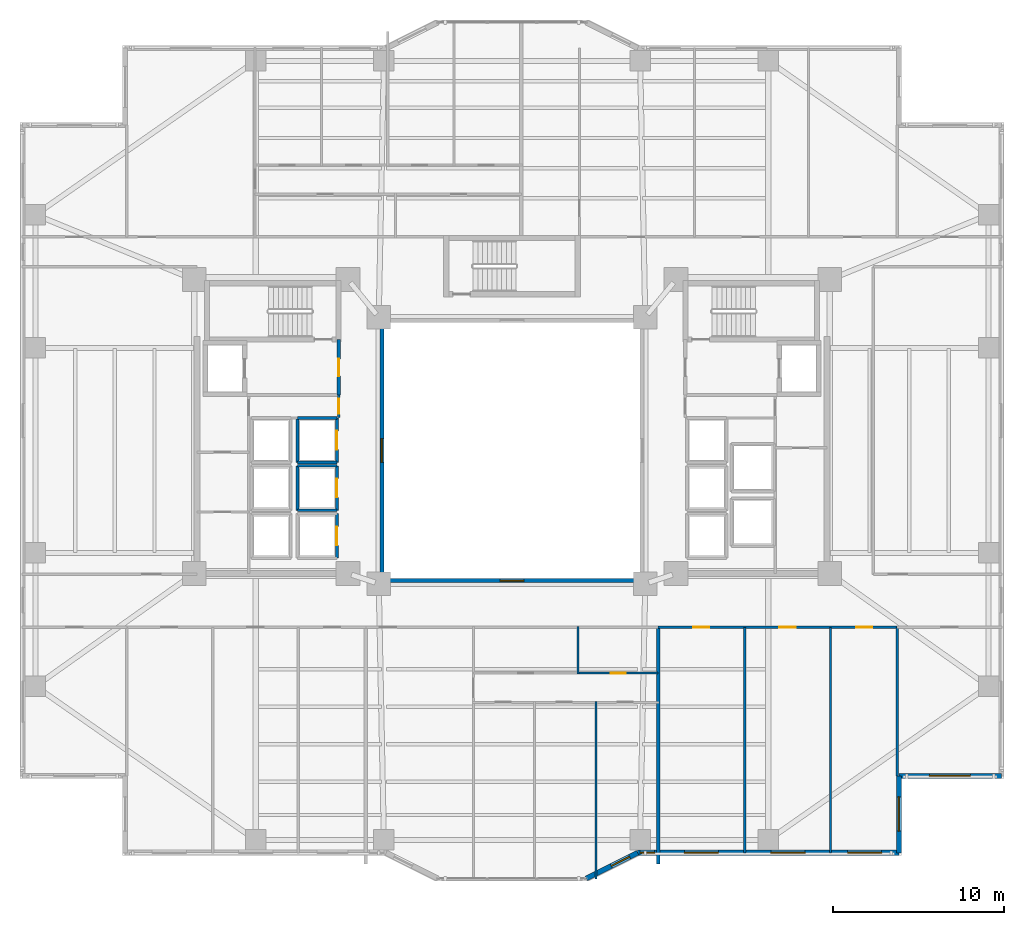
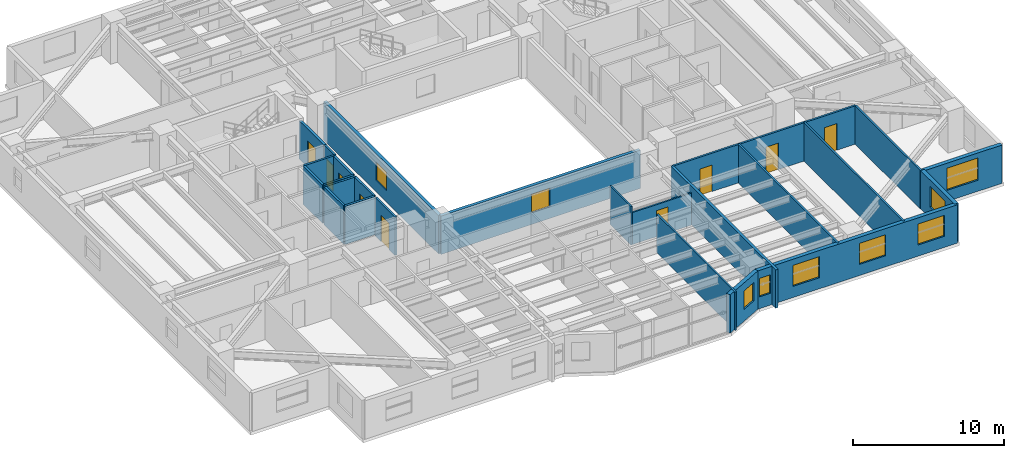
# One storey, part 11 of 19: 25 walls, 9 doors, 9 windows, 18 openings.
"""IFC4 building model written with IfcOpenShell, lengths in metres."""

import ifcopenshell
import ifcopenshell.guid

model = None  # the IFC model being written
_history = None  # IfcOwnerHistory: only IFC2X3 demands one
_inside = {}  # id of a spatial element -> (the spatial element, [elements in it])
_under = {}  # id of a project, library or spatial element -> (it, [spatial elements below it])
_declared = {}  # id of a project -> (the project, [libraries it declares])
_typed = {}  # id of a type object -> (the type object, [elements of that type])
_made_of = {}  # id of a material, layer set ... -> (it, [elements and type objects made of it])


def new_model(schema):
    """Start an empty IFC model of exactly this schema.

    Asked for "IFC4X3", IfcOpenShell would pick the latest addendum, in which some entities
    have other attributes; the version numbers below select the first issue.
    IFC2X3 requires an IfcOwnerHistory on every rooted entity: one is made here for all.
    """
    global model, _history
    if schema == "IFC4X3":
        model = ifcopenshell.file(schema_version=(4, 3, 0, 0))
    else:
        model = ifcopenshell.file(schema=schema)
    _inside.clear()
    _under.clear()
    _declared.clear()
    _typed.clear()
    _made_of.clear()
    _history = None
    if model.schema == "IFC2X3":
        org = make("IfcOrganization", Name="unknown")
        user = make(
            "IfcPersonAndOrganization",
            ThePerson=make("IfcPerson", FamilyName="unknown"),
            TheOrganization=org,
        )
        app = make(
            "IfcApplication",
            ApplicationDeveloper=org,
            Version="unknown",
            ApplicationFullName="unknown",
            ApplicationIdentifier="unknown",
        )
        _history = make(
            "IfcOwnerHistory",
            OwningUser=user,
            OwningApplication=app,
            ChangeAction="ADDED",
            CreationDate=0,
        )
    return model


def make(cls, **values):
    """One entity of the class cls with the attributes given. An attribute that is None is left unset."""
    return model.create_entity(
        cls, **{name: value for name, value in values.items() if value is not None}
    )


def rooted(cls, **values):
    """An entity with a GlobalId (a new one), such as an element, a storey or a relation."""
    return make(cls, GlobalId=ifcopenshell.guid.new(), OwnerHistory=_history, **values)


def si_unit(unit_type, name, prefix=None):
    """IfcSIUnit, for example si_unit("LENGTHUNIT", "METRE", prefix="MILLI")."""
    return make("IfcSIUnit", UnitType=unit_type, Prefix=prefix, Name=name)


def assignment(units):
    """IfcUnitAssignment: the units of a project."""
    return None if units is None else make("IfcUnitAssignment", Units=units)


def point(xyz):
    """IfcCartesianPoint."""
    return None if xyz is None else make("IfcCartesianPoint", Coordinates=xyz)


def direction(xyz):
    """IfcDirection."""
    return None if xyz is None else make("IfcDirection", DirectionRatios=xyz)


def frame(location, z_axis=None, x_axis=None):
    """IfcAxis2Placement3D, a coordinate frame: its origin and axes. An axis left out is left unset."""
    return make(
        "IfcAxis2Placement3D",
        Location=point(location),
        Axis=direction(z_axis),
        RefDirection=direction(x_axis),
    )


def frame_2d(location, x_axis=None):
    """IfcAxis2Placement2D, a coordinate frame in the plane: its origin and x axis."""
    return make(
        "IfcAxis2Placement2D", Location=point(location), RefDirection=direction(x_axis)
    )


def origin():
    """The frame at (0, 0, 0) with its axes left unset."""
    return frame((0.0, 0.0, 0.0))


def place(relative_to, where):
    """IfcLocalPlacement: puts the frame where relative to a parent placement (None: the world)."""
    return make(
        "IfcLocalPlacement", PlacementRelTo=relative_to, RelativePlacement=where
    )


def context(
    kind, dimensions, precision=None, world=None, true_north=None, identifier=None
):
    """IfcGeometricRepresentationContext, for example the 3D "Model" context."""
    return make(
        "IfcGeometricRepresentationContext",
        ContextIdentifier=identifier,
        ContextType=kind,
        CoordinateSpaceDimension=dimensions,
        Precision=precision,
        WorldCoordinateSystem=world,
        TrueNorth=true_north,
    )


def subcontext(parent, identifier, kind, view, scale=None):
    """IfcGeometricRepresentationSubContext, for example "Body" below "Model"."""
    return make(
        "IfcGeometricRepresentationSubContext",
        ContextIdentifier=identifier,
        ContextType=kind,
        ParentContext=parent,
        TargetScale=scale,
        TargetView=view,
    )


def project(units=None, contexts=None):
    """IfcProject with its units and contexts."""
    return rooted(
        "IfcProject",
        Name="project",
        RepresentationContexts=contexts,
        UnitsInContext=assignment(units),
    )


def spatial(cls, under=None, at=None, **own):
    """A site, building, storey or space (cls), placed at a placement, below another one or the project."""
    s = rooted(cls, ObjectPlacement=at, **own)
    if under is not None:
        _under.setdefault(under.id(), (under, []))[1].append(s)
    return s


def profile(cls, at=None, kind="AREA", **sizes):
    """A parametric profile (cls). Its sizes go by their IFC names, for example OverallWidth=200.0."""
    return make(cls, ProfileType=kind, Position=at, **sizes)


def rectangle(**sizes):
    """IfcRectangleProfileDef."""
    return profile("IfcRectangleProfileDef", **sizes)


def extrude(swept, where, along, depth):
    """IfcExtrudedAreaSolid: the profile swept, set in the frame where, extruded along a direction by depth."""
    return make(
        "IfcExtrudedAreaSolid",
        SweptArea=swept,
        Position=where,
        ExtrudedDirection=direction(along),
        Depth=depth,
    )


def shape(context_of_items, identifier, shape_type, items):
    """IfcShapeRepresentation: the items that make up one representation, for example the "Body"."""
    return make(
        "IfcShapeRepresentation",
        ContextOfItems=context_of_items,
        RepresentationIdentifier=identifier,
        RepresentationType=shape_type,
        Items=items,
    )


def material(Name=None, Category=None):
    """IfcMaterial."""
    return make("IfcMaterial", Name=Name, Category=Category)


def layer(
    of_material, thickness, ventilated=None, Name=None, Category=None, Priority=None
):
    """IfcMaterialLayer: one layer of a wall or slab, of a material (None: an air gap)."""
    return make(
        "IfcMaterialLayer",
        Material=of_material,
        LayerThickness=thickness,
        IsVentilated=ventilated,
        Name=Name,
        Category=Category,
        Priority=Priority,
    )


def layer_set(layers, Name=None):
    """IfcMaterialLayerSet."""
    return make("IfcMaterialLayerSet", MaterialLayers=layers, LayerSetName=Name)


def made_of(thing, what):
    """Note that an element or type object is made of a material, layer set ...; save() writes the relation."""
    if what is not None:
        _made_of.setdefault(what.id(), (what, []))[1].append(thing)
    return thing


def type_object(cls, material=None, **own):
    """A type object (cls), such as IfcWallType, which elements share."""
    return made_of(rooted(cls, **own), material)


def element(
    cls,
    number,
    at=None,
    inside=None,
    cuts=None,
    type_object=None,
    material=None,
    context=None,
    identifier="Body",
    shape_type=None,
    held_by="IfcProductDefinitionShape",
    body=None,
    shapes=None,
    **own,
):
    """One element of the class cls, such as IfcWall. Its Tag is "e" and its number.

    at: its placement. inside: the storey or other place that contains it. cuts: it is an
    opening in that element (IfcRelVoidsElement). A single representation is given by context,
    identifier, shape_type and body (its items); several are given by shapes. held_by: the class
    of the entity that holds the representations. save() writes the other relations.
    """
    e = rooted(cls, Tag="e%d" % number, ObjectPlacement=at, **own)
    if body is not None:
        shapes = [shape(context, identifier, shape_type, body)]
    if shapes is not None:
        e.Representation = make(held_by, Representations=shapes)
    if inside is not None:
        _inside.setdefault(inside.id(), (inside, []))[1].append(e)
    if cuts is not None:
        rooted(
            "IfcRelVoidsElement", RelatingBuildingElement=cuts, RelatedOpeningElement=e
        )
    if type_object is not None:
        _typed.setdefault(type_object.id(), (type_object, []))[1].append(e)
    return made_of(e, material)


def fill(opening, filler):
    """IfcRelFillsElement: the door or window that sits in an opening."""
    return rooted(
        "IfcRelFillsElement",
        RelatingOpeningElement=opening,
        RelatedBuildingElement=filler,
    )


def aggregate(whole, parts):
    """IfcRelAggregates: a whole, such as a stair, and the parts it consists of."""
    return rooted("IfcRelAggregates", RelatingObject=whole, RelatedObjects=parts)


def save(model, path):
    """Write the relations noted so far, then the file.

    IfcRelAggregates (storeys below a building ...), IfcRelContainedInSpatialStructure (elements
    in a storey), IfcRelDefinesByType, IfcRelAssociatesMaterial and IfcRelDeclares: one each for
    every whole, place, type object, material and project.
    """
    for whole, parts in _under.values():
        aggregate(whole, parts)
    for where, things in _inside.values():
        rooted(
            "IfcRelContainedInSpatialStructure",
            RelatedElements=things,
            RelatingStructure=where,
        )
    for kind, things in _typed.values():
        rooted("IfcRelDefinesByType", RelatedObjects=things, RelatingType=kind)
    for what, things in _made_of.values():
        rooted("IfcRelAssociatesMaterial", RelatedObjects=things, RelatingMaterial=what)
    for by, libraries in _declared.values():
        rooted("IfcRelDeclares", RelatingContext=by, RelatedDefinitions=libraries)
    model.write(path)


model = new_model("IFC4")

# Units and contexts
model_context = context("Model", 3, precision=1e-05, world=origin(), true_north=direction((0.0, 1.0)))
body_context = subcontext(model_context, "Body", "Model", "MODEL_VIEW")
ifc_project = project(units=[si_unit("LENGTHUNIT", "METRE"), si_unit("AREAUNIT", "SQUARE_METRE"), si_unit("VOLUMEUNIT", "CUBIC_METRE"), si_unit("PLANEANGLEUNIT", "RADIAN"), si_unit("MASSUNIT", "GRAM", prefix="KILO")], contexts=[model_context])

# Site, building, storey
site_placement = place(None, origin())
site = spatial("IfcSite", under=ifc_project, at=site_placement, CompositionType="ELEMENT")
building_placement = place(site_placement, origin())
building = spatial("IfcBuilding", under=site, at=building_placement, Name="Tarnavaz Court Tower", CompositionType="ELEMENT")
storey_placement = place(building_placement, frame((0.0, 0.0, 54.14990234375)))
storey = spatial("IfcBuildingStorey", under=building, at=storey_placement, Name="L14", CompositionType="ELEMENT", Elevation=54.14990234375)

# Wall, opening, window
ifc_material_1 = material(Name="Precast Concrete C40/50", Category="concrete")
ifc_layer_1 = layer(ifc_material_1, 0.300048828125)
ifc_layer_set_1 = layer_set([ifc_layer_1], Name="Precast Concrete C40/50")
wall_type_1 = type_object("IfcWallType", Name="WL-EXT-300", PredefinedType="SOLIDWALL", material=ifc_layer_set_1)
wall_1_placement = place(storey_placement, frame((28.64990234375, -19.050048828125, 0.0), z_axis=(0.0, 0.0, 1.0), x_axis=(-1.0, 0.0, 0.0)))
wall_1 = element("IfcWall", 1, at=wall_1_placement, inside=storey, type_object=wall_type_1, Name="L14 Exterior Terracotta Facade Wall 13", PredefinedType="SOLIDWALL", context=body_context, shape_type="SweptSolid", body=[
    extrude(rectangle(XDim=6.0, YDim=0.300048828125, at=frame_2d((3.0, 0.0))), origin(), (0.0, 0.0, 1.0), 3.10009765625),
])
opening_1_placement = place(wall_1_placement, frame((1.824951171875, 0.0, 0.89990234375)))
opening_1 = element("IfcOpeningElement", 2, at=opening_1_placement, cuts=wall_1, Name="Opening W06", PredefinedType="OPENING", context=body_context, shape_type="SweptSolid", body=[
    extrude(rectangle(XDim=2.39990234375, YDim=1.800048828125, at=frame_2d((1.199951171875, 0.89990234375))), frame((0.0, 0.159912109375, 0.0), z_axis=(0.0, -1.0, 0.0), x_axis=(1.0, 0.0, 0.0)), (0.0, 0.0, 1.0), 0.320068359375),
])
ifc_material_2 = material(Name="Double-Glazed Solar Low-E Glass", Category="glass")
window_type_1 = type_object("IfcWindowType", Name="WN-APT-2400", PartitioningType="TRIPLE_PANEL_VERTICAL", PredefinedType="WINDOW", material=ifc_material_2)
window_1_placement = place(opening_1_placement, origin())
window_1 = element("IfcWindow", 3, at=window_1_placement, inside=storey, type_object=window_type_1, Name="L14 South-East Corner Reading Room Window", OverallHeight=1.800048828125, OverallWidth=2.39990234375, PartitioningType="SINGLE_PANEL", PredefinedType="WINDOW", context=body_context, shape_type="SweptSolid", body=[
    extrude(rectangle(XDim=2.39990234375, YDim=1.800048828125, at=frame_2d((1.199951171875, 0.89990234375))), frame((0.0, 0.030029296875, 0.0), z_axis=(0.0, -1.0, 0.0), x_axis=(1.0, 0.0, 0.0)), (0.0, 0.0, 1.0), 0.06005859375),
])
fill(opening_1, window_1)

wall_2_placement = place(storey_placement, frame((22.64990234375, -19.050048828125, 0.0), z_axis=(0.0, 0.0, 1.0), x_axis=(0.0, -1.0, 0.0)))
wall_2 = element("IfcWall", 4, at=wall_2_placement, inside=storey, type_object=wall_type_1, Name="L14 Exterior Terracotta Facade Wall 14", PredefinedType="SOLIDWALL", context=body_context, shape_type="SweptSolid", body=[
    extrude(rectangle(XDim=4.5, YDim=0.300048828125, at=frame_2d((2.25, 0.0))), origin(), (0.0, 0.0, 1.0), 3.10009765625),
])
opening_2_placement = place(wall_2_placement, frame((1.232421875, 0.0, 0.89990234375)))
opening_2 = element("IfcOpeningElement", 5, at=opening_2_placement, cuts=wall_2, Name="Opening W08", PredefinedType="OPENING", context=body_context, shape_type="SweptSolid", body=[
    extrude(rectangle(XDim=2.0, YDim=1.699951171875, at=frame_2d((1.0, 0.85009765625))), frame((0.0, 0.159912109375, 0.0), z_axis=(0.0, -1.0, 0.0), x_axis=(1.0, 0.0, 0.0)), (0.0, 0.0, 1.0), 0.320068359375),
])
window_type_2 = type_object("IfcWindowType", Name="WN-APT-2000", PartitioningType="DOUBLE_PANEL_VERTICAL", PredefinedType="WINDOW", material=ifc_material_2)
window_2_placement = place(opening_2_placement, origin())
window_2 = element("IfcWindow", 6, at=window_2_placement, inside=storey, type_object=window_type_2, Name="L14 Resident Focus Seminar Room Window", OverallHeight=1.699951171875, OverallWidth=2.0, PartitioningType="SINGLE_PANEL", PredefinedType="WINDOW", context=body_context, shape_type="SweptSolid", body=[
    extrude(rectangle(XDim=2.0, YDim=1.699951171875, at=frame_2d((1.0, 0.85009765625))), frame((0.0, 0.030029296875, 0.0), z_axis=(0.0, -1.0, 0.0), x_axis=(1.0, 0.0, 0.0)), (0.0, 0.0, 1.0), 0.06005859375),
])
fill(opening_2, window_2)

# Wall, openings, windows
wall_3_placement = place(storey_placement, frame((22.64990234375, -23.550048828125, 0.0), z_axis=(0.0, 0.0, 1.0), x_axis=(-1.0, 0.0, 0.0)))
wall_3 = element("IfcWall", 7, at=wall_3_placement, inside=storey, type_object=wall_type_1, Name="L14 Exterior Terracotta Facade Wall 15", PredefinedType="SOLIDWALL", context=body_context, shape_type="SweptSolid", body=[
    extrude(rectangle(XDim=15.2998046875, YDim=0.300048828125, at=frame_2d((7.64990234375, 0.0))), origin(), (0.0, 0.0, 1.0), 3.10009765625),
])
opening_3_placement = place(wall_3_placement, frame((1.006591796875, 0.0, 0.89990234375)))
opening_3 = element("IfcOpeningElement", 8, at=opening_3_placement, cuts=wall_3, Name="Opening W08", PredefinedType="OPENING", context=body_context, shape_type="SweptSolid", body=[
    extrude(rectangle(XDim=2.0, YDim=1.699951171875, at=frame_2d((1.0, 0.85009765625))), frame((0.0, 0.159912109375, 0.0), z_axis=(0.0, -1.0, 0.0), x_axis=(1.0, 0.0, 0.0)), (0.0, 0.0, 1.0), 0.320068359375),
])
opening_4_placement = place(wall_3_placement, frame((5.49609375, 0.0, 0.89990234375)))
opening_4 = element("IfcOpeningElement", 9, at=opening_4_placement, cuts=wall_3, Name="Opening W08", PredefinedType="OPENING", context=body_context, shape_type="SweptSolid", body=[
    extrude(rectangle(XDim=2.0, YDim=1.699951171875, at=frame_2d((1.0, 0.85009765625))), frame((0.0, 0.159912109375, 0.0), z_axis=(0.0, -1.0, 0.0), x_axis=(1.0, 0.0, 0.0)), (0.0, 0.0, 1.0), 0.320068359375),
])
opening_5_placement = place(wall_3_placement, frame((10.562744140625, 0.0, 0.89990234375)))
opening_5 = element("IfcOpeningElement", 10, at=opening_5_placement, cuts=wall_3, Name="Opening W08", PredefinedType="OPENING", context=body_context, shape_type="SweptSolid", body=[
    extrude(rectangle(XDim=2.0, YDim=1.699951171875, at=frame_2d((1.0, 0.85009765625))), frame((0.0, 0.159912109375, 0.0), z_axis=(0.0, -1.0, 0.0), x_axis=(1.0, 0.0, 0.0)), (0.0, 0.0, 1.0), 0.320068359375),
])
opening_6_placement = place(wall_3_placement, frame((14.30322265625, 0.0, 0.949951171875)))
opening_6 = element("IfcOpeningElement", 11, at=opening_6_placement, cuts=wall_3, Name="Opening W15", PredefinedType="OPENING", context=body_context, shape_type="SweptSolid", body=[
    extrude(rectangle(XDim=0.85009765625, YDim=1.5, at=frame_2d((0.425048828125, 0.75))), frame((0.0, 0.159912109375, 0.0), z_axis=(0.0, -1.0, 0.0), x_axis=(1.0, 0.0, 0.0)), (0.0, 0.0, 1.0), 0.320068359375),
])
window_3_placement = place(opening_3_placement, origin())
window_3 = element("IfcWindow", 12, at=window_3_placement, inside=storey, type_object=window_type_2, Name="L14 Resident Focus Seminar Room Window", OverallHeight=1.699951171875, OverallWidth=2.0, PartitioningType="SINGLE_PANEL", PredefinedType="WINDOW", context=body_context, shape_type="SweptSolid", body=[
    extrude(rectangle(XDim=2.0, YDim=1.699951171875, at=frame_2d((1.0, 0.85009765625))), frame((0.0, 0.030029296875, 0.0), z_axis=(0.0, -1.0, 0.0), x_axis=(1.0, 0.0, 0.0)), (0.0, 0.0, 1.0), 0.06005859375),
])
fill(opening_3, window_3)
window_4_placement = place(opening_4_placement, origin())
window_4 = element("IfcWindow", 13, at=window_4_placement, inside=storey, type_object=window_type_2, Name="L14 Quiet Reading Library Room Window", OverallHeight=1.699951171875, OverallWidth=2.0, PartitioningType="SINGLE_PANEL", PredefinedType="WINDOW", context=body_context, shape_type="SweptSolid", body=[
    extrude(rectangle(XDim=2.0, YDim=1.699951171875, at=frame_2d((1.0, 0.85009765625))), frame((0.0, 0.030029296875, 0.0), z_axis=(0.0, -1.0, 0.0), x_axis=(1.0, 0.0, 0.0)), (0.0, 0.0, 1.0), 0.06005859375),
])
fill(opening_4, window_4)
window_5_placement = place(opening_5_placement, origin())
window_5 = element("IfcWindow", 14, at=window_5_placement, inside=storey, type_object=window_type_2, Name="L14 Resident Co-Working Study Room Window", OverallHeight=1.699951171875, OverallWidth=2.0, PartitioningType="SINGLE_PANEL", PredefinedType="WINDOW", context=body_context, shape_type="SweptSolid", body=[
    extrude(rectangle(XDim=2.0, YDim=1.699951171875, at=frame_2d((1.0, 0.85009765625))), frame((0.0, 0.030029296875, 0.0), z_axis=(0.0, -1.0, 0.0), x_axis=(1.0, 0.0, 0.0)), (0.0, 0.0, 1.0), 0.06005859375),
])
fill(opening_5, window_5)
window_type_3 = type_object("IfcWindowType", Name="WN-APT-850", PartitioningType="SINGLE_PANEL", PredefinedType="WINDOW", material=ifc_material_2)
window_6_placement = place(opening_6_placement, origin())
window_6 = element("IfcWindow", 15, at=window_6_placement, inside=storey, type_object=window_type_3, Name="L14 Flat 02 Bedroom 3 Window", OverallHeight=1.5, OverallWidth=0.85009765625, PartitioningType="SINGLE_PANEL", PredefinedType="WINDOW", context=body_context, shape_type="SweptSolid", body=[
    extrude(rectangle(XDim=0.85009765625, YDim=1.5, at=frame_2d((0.425048828125, 0.75))), frame((0.0, 0.030029296875, 0.0), z_axis=(0.0, -1.0, 0.0), x_axis=(1.0, 0.0, 0.0)), (0.0, 0.0, 1.0), 0.06005859375),
])
fill(opening_6, window_6)

# Wall, opening, window
wall_4_placement = place(storey_placement, frame((7.35009765625, -23.550048828125, 0.0), z_axis=(0.0, 0.0, 1.0), x_axis=(-0.894427191, -0.4472135955, 0.0)))
wall_4 = element("IfcWall", 16, at=wall_4_placement, inside=storey, type_object=wall_type_1, Name="L14 Exterior Terracotta Facade Wall 16", PredefinedType="SOLIDWALL", context=body_context, shape_type="SweptSolid", body=[
    extrude(rectangle(XDim=3.35400390625, YDim=0.300048828125, at=frame_2d((1.677001953125, 0.0))), origin(), (0.0, 0.0, 1.0), 3.10009765625),
])
opening_7_placement = place(wall_4_placement, frame((0.521240234375, 0.0, 0.949951171875)))
opening_7 = element("IfcOpeningElement", 17, at=opening_7_placement, cuts=wall_4, Name="Opening W05", PredefinedType="OPENING", context=body_context, shape_type="SweptSolid", body=[
    extrude(rectangle(XDim=1.199951171875, YDim=1.5, at=frame_2d((0.60009765625, 0.75))), frame((0.0, 0.159912109375, 0.0), z_axis=(0.0, -1.0, 0.0), x_axis=(1.0, 0.0, 0.0)), (0.0, 0.0, 1.0), 0.320068359375),
])
window_type_4 = type_object("IfcWindowType", Name="WN-APT-1200", PartitioningType="SINGLE_PANEL", PredefinedType="WINDOW", material=ifc_material_2)
window_7_placement = place(opening_7_placement, origin())
window_7 = element("IfcWindow", 18, at=window_7_placement, inside=storey, type_object=window_type_4, Name="L14 Flat 02 Bedroom 3 Window", OverallHeight=1.5, OverallWidth=1.199951171875, PartitioningType="SINGLE_PANEL", PredefinedType="WINDOW", context=body_context, shape_type="SweptSolid", body=[
    extrude(rectangle(XDim=1.199951171875, YDim=1.5, at=frame_2d((0.60009765625, 0.75))), frame((0.0, 0.030029296875, 0.0), z_axis=(0.0, -1.0, 0.0), x_axis=(1.0, 0.0, 0.0)), (0.0, 0.0, 1.0), 0.06005859375),
])
fill(opening_7, window_7)

# Wall, openings, doors
ifc_material_3 = material(Name="Gypsum Fire-Board on Acoustic Metal Stud", Category="masonry")
ifc_layer_2 = layer(ifc_material_3, 0.14990234375)
ifc_layer_set_2 = layer_set([ifc_layer_2], Name="Gypsum Fire-Board on Acoustic Metal Stud")
wall_type_2 = type_object("IfcWallType", Name="WL-FIRE-150", PredefinedType="PARTITIONING", material=ifc_layer_set_2)
wall_5_placement = place(storey_placement, frame((8.550048828125, -10.35009765625, 0.0), z_axis=(0.0, 0.0, 1.0), x_axis=(1.0, 0.0, 0.0)))
wall_5 = element("IfcWall", 19, at=wall_5_placement, inside=storey, type_object=wall_type_2, Name="L14 SE Corridor Wall 087", PredefinedType="PARTITIONING", context=body_context, shape_type="SweptSolid", body=[
    extrude(rectangle(XDim=14.0, YDim=0.14990234375, at=frame_2d((7.0, 0.0))), origin(), (0.0, 0.0, 1.0), 3.10009765625),
])
opening_8_placement = place(wall_5_placement, frame((2.055908203125, 0.0, 0.0)))
opening_8 = element("IfcOpeningElement", 20, at=opening_8_placement, cuts=wall_5, Name="Opening D13", PredefinedType="OPENING", context=body_context, shape_type="SweptSolid", body=[
    extrude(rectangle(XDim=0.949951171875, YDim=2.14990234375, at=frame_2d((0.47509765625, 1.074951171875))), frame((0.0, 0.0849609375, 0.0), z_axis=(0.0, -1.0, 0.0), x_axis=(1.0, 0.0, 0.0)), (0.0, 0.0, 1.0), 0.169921875),
])
opening_9_placement = place(wall_5_placement, frame((7.10791015625, 0.0, 0.0)))
opening_9 = element("IfcOpeningElement", 21, at=opening_9_placement, cuts=wall_5, Name="Opening D13", PredefinedType="OPENING", context=body_context, shape_type="SweptSolid", body=[
    extrude(rectangle(XDim=0.949951171875, YDim=2.14990234375, at=frame_2d((0.47509765625, 1.074951171875))), frame((0.0, 0.0849609375, 0.0), z_axis=(0.0, -1.0, 0.0), x_axis=(1.0, 0.0, 0.0)), (0.0, 0.0, 1.0), 0.169921875),
])
opening_10_placement = place(wall_5_placement, frame((11.60205078125, 0.0, 0.0)))
opening_10 = element("IfcOpeningElement", 22, at=opening_10_placement, cuts=wall_5, Name="Opening D13", PredefinedType="OPENING", context=body_context, shape_type="SweptSolid", body=[
    extrude(rectangle(XDim=0.949951171875, YDim=2.14990234375, at=frame_2d((0.47509765625, 1.074951171875))), frame((0.0, 0.0849609375, 0.0), z_axis=(0.0, -1.0, 0.0), x_axis=(1.0, 0.0, 0.0)), (0.0, 0.0, 1.0), 0.169921875),
])
ifc_material_4 = material(Name="Engineered Oak Timber", Category="wood")
door_type_1 = type_object("IfcDoorType", Name="DR-INT-950", OperationType="NOTDEFINED", PredefinedType="DOOR", material=ifc_material_4)
door_1_placement = place(opening_8_placement, origin())
door_1 = element("IfcDoor", 23, at=door_1_placement, inside=storey, type_object=door_type_1, Name="L14 Resident Co-Working Study Room Door", OperationType="SINGLE_SWING_LEFT", OverallHeight=2.14990234375, OverallWidth=0.949951171875, PredefinedType="DOOR", context=body_context, shape_type="SweptSolid", body=[
    extrude(rectangle(XDim=0.949951171875, YDim=2.14990234375, at=frame_2d((0.47509765625, 1.074951171875))), frame((0.0, 0.02490234375, 0.0), z_axis=(0.0, -1.0, 0.0), x_axis=(1.0, 0.0, 0.0)), (0.0, 0.0, 1.0), 0.050048828125),
])
fill(opening_8, door_1)
door_2_placement = place(opening_9_placement, origin())
door_2 = element("IfcDoor", 24, at=door_2_placement, inside=storey, type_object=door_type_1, Name="L14 Quiet Reading Library Room Door", OperationType="SINGLE_SWING_RIGHT", OverallHeight=2.14990234375, OverallWidth=0.949951171875, PredefinedType="DOOR", context=body_context, shape_type="SweptSolid", body=[
    extrude(rectangle(XDim=0.949951171875, YDim=2.14990234375, at=frame_2d((0.47509765625, 1.074951171875))), frame((0.0, 0.02490234375, 0.0), z_axis=(0.0, -1.0, 0.0), x_axis=(1.0, 0.0, 0.0)), (0.0, 0.0, 1.0), 0.050048828125),
])
fill(opening_9, door_2)
door_3_placement = place(opening_10_placement, origin())
door_3 = element("IfcDoor", 25, at=door_3_placement, inside=storey, type_object=door_type_1, Name="L14 Resident Focus Seminar Room Door", OperationType="SINGLE_SWING_LEFT", OverallHeight=2.14990234375, OverallWidth=0.949951171875, PredefinedType="DOOR", context=body_context, shape_type="SweptSolid", body=[
    extrude(rectangle(XDim=0.949951171875, YDim=2.14990234375, at=frame_2d((0.47509765625, 1.074951171875))), frame((0.0, 0.02490234375, 0.0), z_axis=(0.0, -1.0, 0.0), x_axis=(1.0, 0.0, 0.0)), (0.0, 0.0, 1.0), 0.050048828125),
])
fill(opening_10, door_3)

# Wall, opening, door
ifc_material_5 = material(Name="Autoclaved Aerated Concrete Blockwork", Category="masonry")
ifc_layer_3 = layer(ifc_material_5, 0.199951171875)
ifc_layer_set_3 = layer_set([ifc_layer_3], Name="Autoclaved Aerated Concrete Blockwork")
wall_type_3 = type_object("IfcWallType", Name="WL-FIRE-200", PredefinedType="SOLIDWALL", material=ifc_layer_set_3)
wall_6_placement = place(storey_placement, frame((-10.14990234375, 3.25, 0.0), z_axis=(0.0, 0.0, 1.0), x_axis=(0.0, 1.0, 0.0)))
wall_6 = element("IfcWall", 26, at=wall_6_placement, inside=storey, type_object=wall_type_3, Name="L14 West Firefighting Lobby Wall 014", PredefinedType="SOLIDWALL", context=body_context, shape_type="SweptSolid", body=[
    extrude(rectangle(XDim=3.25, YDim=0.199951171875, at=frame_2d((1.625, 0.0))), origin(), (0.0, 0.0, 1.0), 3.10009765625),
])
opening_11_placement = place(wall_6_placement, frame((1.10009765625, 0.0, 0.0)))
opening_11 = element("IfcOpeningElement", 27, at=opening_11_placement, cuts=wall_6, Name="Opening D05", PredefinedType="OPENING", context=body_context, shape_type="SweptSolid", body=[
    extrude(rectangle(XDim=1.02001953125, YDim=2.14990234375, at=frame_2d((0.510009765625, 1.074951171875))), frame((0.0, 0.10986328125, 0.0), z_axis=(0.0, -1.0, 0.0), x_axis=(1.0, 0.0, 0.0)), (0.0, 0.0, 1.0), 0.219970703125),
])
ifc_material_6 = material(Name="Fire-Rated Hardwood Timber Core", Category="wood")
door_type_2 = type_object("IfcDoorType", Name="DR-FD60-1000", OperationType="NOTDEFINED", PredefinedType="DOOR", material=ifc_material_6)
door_4_placement = place(opening_11_placement, origin())
door_4 = element("IfcDoor", 28, at=door_4_placement, inside=storey, type_object=door_type_2, Name="L14 West Firefighting Lobby Door", OperationType="SINGLE_SWING_RIGHT", OverallHeight=2.14990234375, OverallWidth=1.02001953125, PredefinedType="DOOR", context=body_context, shape_type="SweptSolid", body=[
    extrude(rectangle(XDim=1.02001953125, YDim=2.14990234375, at=frame_2d((0.510009765625, 1.074951171875))), frame((0.0, 0.02490234375, 0.0), z_axis=(0.0, -1.0, 0.0), x_axis=(1.0, 0.0, 0.0)), (0.0, 0.0, 1.0), 0.050048828125),
])
fill(opening_11, door_4)

# Wall
wall_7_placement = place(storey_placement, frame((8.550048828125, -24.2041015625, 0.0), z_axis=(0.0, 0.0, 1.0), x_axis=(0.0, 1.0, 0.0)))
element("IfcWall", 29, at=wall_7_placement, inside=storey, type_object=wall_type_3, Name="L14 Party Wall 105", PredefinedType="SOLIDWALL", context=body_context, shape_type="SweptSolid", body=[
    extrude(rectangle(XDim=13.85400390625, YDim=0.199951171875, at=frame_2d((6.927001953125, 0.0))), origin(), (0.0, 0.0, 1.0), 3.10009765625),
])

# Wall, opening, door
ifc_material_7 = material(Name="Moisture-Resistant Gypsum Board Partition", Category="masonry")
ifc_layer_4 = layer(ifc_material_7, 0.1201171875)
ifc_layer_set_4 = layer_set([ifc_layer_4], Name="Moisture-Resistant Gypsum Board Partition")
wall_type_4 = type_object("IfcWallType", Name="WL-PART-120", PredefinedType="PARTITIONING", material=ifc_layer_set_4)
wall_8_placement = place(storey_placement, frame((3.8720703125, -13.030029296875, 0.0), z_axis=(0.0, 0.0, 1.0), x_axis=(1.0, 0.0, 0.0)))
wall_8 = element("IfcWall", 30, at=wall_8_placement, inside=storey, type_object=wall_type_4, Name="L14 Interior Partition 108", PredefinedType="PARTITIONING", context=body_context, shape_type="SweptSolid", body=[
    extrude(rectangle(XDim=4.677978515625, YDim=0.1201171875, at=frame_2d((2.3388671875, 0.0))), origin(), (0.0, 0.0, 1.0), 2.585205078125),
])
opening_12_placement = place(wall_8_placement, frame((1.89892578125, 0.0, 0.0)))
opening_12 = element("IfcOpeningElement", 31, at=opening_12_placement, cuts=wall_8, Name="Opening D14", PredefinedType="OPENING", context=body_context, shape_type="SweptSolid", body=[
    extrude(rectangle(XDim=0.8798828125, YDim=2.10009765625, at=frame_2d((0.43994140625, 1.050048828125))), frame((0.0, 0.070068359375, 0.0), z_axis=(0.0, -1.0, 0.0), x_axis=(1.0, 0.0, 0.0)), (0.0, 0.0, 1.0), 0.14013671875),
])
door_type_3 = type_object("IfcDoorType", Name="DR-INT-900", OperationType="NOTDEFINED", PredefinedType="DOOR", material=ifc_material_4)
door_5_placement = place(opening_12_placement, origin())
door_5 = element("IfcDoor", 32, at=door_5_placement, inside=storey, type_object=door_type_3, Name="L14 Flat 02 Bathroom Door", OperationType="SINGLE_SWING_LEFT", OverallHeight=2.10009765625, OverallWidth=0.8798828125, PredefinedType="DOOR", context=body_context, shape_type="SweptSolid", body=[
    extrude(rectangle(XDim=0.8798828125, YDim=2.10009765625, at=frame_2d((0.43994140625, 1.050048828125))), frame((0.0, 0.02490234375, 0.0), z_axis=(0.0, -1.0, 0.0), x_axis=(1.0, 0.0, 0.0)), (0.0, 0.0, 1.0), 0.050048828125),
])
fill(opening_12, door_5)

# Walls
wall_9_placement = place(storey_placement, frame((3.8720703125, -13.090087890625, 0.0), z_axis=(0.0, 0.0, 1.0), x_axis=(0.0, 1.0, 0.0)))
element("IfcWall", 33, at=wall_9_placement, inside=storey, type_object=wall_type_4, Name="L14 Interior Partition 110", PredefinedType="PARTITIONING", context=body_context, shape_type="SweptSolid", body=[
    extrude(rectangle(XDim=2.800048828125, YDim=0.1201171875, at=frame_2d((1.39990234375, 0.0))), origin(), (0.0, 0.0, 1.0), 3.10009765625),
])
wall_10_placement = place(storey_placement, frame((4.909912109375, -25.080078125, 0.0), z_axis=(0.0, 0.0, 1.0), x_axis=(0.0, 1.0, 0.0)))
element("IfcWall", 34, at=wall_10_placement, inside=storey, type_object=wall_type_4, Name="L14 Interior Partition 112", PredefinedType="PARTITIONING", context=body_context, shape_type="SweptSolid", body=[
    extrude(rectangle(XDim=10.400146484375, YDim=0.1201171875, at=frame_2d((5.2001953125, 0.0))), origin(), (0.0, 0.0, 1.0), 3.10009765625),
])

# Wall, opening, door
ifc_material_8 = material(Name="Gypsum Plasterboard Acoustic Partition", Category="masonry")
ifc_layer_5 = layer(ifc_material_8, 0.139892578125)
ifc_layer_set_5 = layer_set([ifc_layer_5], Name="Gypsum Plasterboard Acoustic Partition")
wall_type_5 = type_object("IfcWallType", Name="WL-PART-150", PredefinedType="PARTITIONING", material=ifc_layer_set_5)
wall_11_placement = place(storey_placement, frame((-10.14990234375, 1.919921875, 0.0), z_axis=(0.0, 0.0, 1.0), x_axis=(0.0, 1.0, 0.0)))
wall_11 = element("IfcWall", 35, at=wall_11_placement, inside=storey, type_object=wall_type_5, Name="L14 Interior Partition 074", PredefinedType="PARTITIONING", context=body_context, shape_type="SweptSolid", body=[
    extrude(rectangle(XDim=1.330078125, YDim=0.139892578125, at=frame_2d((0.6650390625, 0.0))), origin(), (0.0, 0.0, 1.0), 3.10009765625),
])
opening_13_placement = place(wall_11_placement, frame((0.219970703125, 0.0, 0.0)))
opening_13 = element("IfcOpeningElement", 36, at=opening_13_placement, cuts=wall_11, Name="Opening D09", PredefinedType="OPENING", context=body_context, shape_type="SweptSolid", body=[
    extrude(rectangle(XDim=0.89990234375, YDim=2.080078125, at=frame_2d((0.449951171875, 1.0400390625))), frame((0.0, 0.079833984375, 0.0), z_axis=(0.0, -1.0, 0.0), x_axis=(1.0, 0.0, 0.0)), (0.0, 0.0, 1.0), 0.159912109375),
])
door_type_4 = type_object("IfcDoorType", Name="DR-FD30-900", OperationType="NOTDEFINED", PredefinedType="DOOR", material=ifc_material_6)
door_6_placement = place(opening_13_placement, origin())
door_6 = element("IfcDoor", 37, at=door_6_placement, inside=storey, type_object=door_type_4, Name="L14 West Core Service Lobby Door", OperationType="SINGLE_SWING_LEFT", OverallHeight=2.080078125, OverallWidth=0.89990234375, PredefinedType="DOOR", context=body_context, shape_type="SweptSolid", body=[
    extrude(rectangle(XDim=0.89990234375, YDim=2.080078125, at=frame_2d((0.449951171875, 1.0400390625))), frame((0.0, 0.02490234375, 0.0), z_axis=(0.0, -1.0, 0.0), x_axis=(1.0, 0.0, 0.0)), (0.0, 0.0, 1.0), 0.050048828125),
])
fill(opening_13, door_6)

# Walls
for number, where, z_axis, x_axis, name in (
    (38, (13.6220703125, -23.550048828125, 0.0), (0.0, 0.0, 1.0), (0.0, 1.0, 0.0), "L14 Interior Partition 102"),
    (39, (18.64404296875, -23.550048828125, 0.0), (0.0, 0.0, 1.0), (0.0, 1.0, 0.0), "L14 Interior Partition 103"),
):
    element("IfcWall", number, at=place(storey_placement, frame(where, z_axis=z_axis, x_axis=x_axis)), inside=storey, type_object=wall_type_5, Name=name, PredefinedType="PARTITIONING", context=body_context, shape_type="SweptSolid", body=[
        extrude(rectangle(XDim=13.199951171875, YDim=0.139892578125, at=frame_2d((6.60009765625, 0.0))), origin(), (0.0, 0.0, 1.0), 3.10009765625),
    ])
wall_12_placement = place(storey_placement, frame((22.550048828125, -19.050048828125, 0.0), z_axis=(0.0, 0.0, 1.0), x_axis=(0.0, 1.0, 0.0)))
element("IfcWall", 40, at=wall_12_placement, inside=storey, type_object=wall_type_5, Name="L14 Interior Partition 118", PredefinedType="PARTITIONING", context=body_context, shape_type="SweptSolid", body=[
    extrude(rectangle(XDim=8.699951171875, YDim=0.139892578125, at=frame_2d((4.35009765625, 0.0))), origin(), (0.0, 0.0, 1.0), 3.10009765625),
])

# Wall, opening, door
ifc_layer_6 = layer(ifc_material_5, 0.159912109375)
ifc_layer_set_6 = layer_set([ifc_layer_6], Name="Autoclaved Aerated Concrete Blockwork")
wall_type_6 = type_object("IfcWallType", Name="WL-SHAFT-150", PredefinedType="SOLIDWALL", material=ifc_layer_set_6)
wall_13_placement = place(storey_placement, frame((-10.25, -6.300048828125, 0.0), z_axis=(0.0, 0.0, 1.0), x_axis=(0.0, 1.0, 0.0)))
wall_13 = element("IfcWall", 41, at=wall_13_placement, inside=storey, type_object=wall_type_6, Name="L14 Lift PL-L1 Shaft Wall 022", PredefinedType="SOLIDWALL", context=body_context, shape_type="SweptSolid", body=[
    extrude(rectangle(XDim=2.60009765625, YDim=0.159912109375, at=frame_2d((1.300048828125, 0.0))), origin(), (0.0, 0.0, 1.0), 3.10009765625),
])
opening_14_placement = place(wall_13_placement, frame((0.75, 0.0, 0.0)))
opening_14 = element("IfcOpeningElement", 42, at=opening_14_placement, cuts=wall_13, Name="Opening LD1", PredefinedType="OPENING", context=body_context, shape_type="SweptSolid", body=[
    extrude(rectangle(XDim=1.10009765625, YDim=2.14990234375, at=frame_2d((0.550048828125, 1.074951171875))), frame((0.0, 0.08984375, 0.0), z_axis=(0.0, -1.0, 0.0), x_axis=(1.0, 0.0, 0.0)), (0.0, 0.0, 1.0), 0.179931640625),
])
ifc_material_9 = material(Name="Stainless Steel", Category="steel")
door_type_5 = type_object("IfcDoorType", Name="DR-LD-1100", OperationType="NOTDEFINED", PredefinedType="DOOR", material=ifc_material_9)
door_7_placement = place(opening_14_placement, origin())
door_7 = element("IfcDoor", 43, at=door_7_placement, inside=storey, type_object=door_type_5, Name="L14 Lift Landing Door LD-PL-L1", OperationType="SLIDING_TO_LEFT", OverallHeight=2.14990234375, OverallWidth=1.10009765625, PredefinedType="DOOR", context=body_context, shape_type="SweptSolid", body=[
    extrude(rectangle(XDim=1.10009765625, YDim=2.14990234375, at=frame_2d((0.550048828125, 1.074951171875))), frame((0.0, 0.02490234375, 0.0), z_axis=(0.0, -1.0, 0.0), x_axis=(1.0, 0.0, 0.0)), (0.0, 0.0, 1.0), 0.050048828125),
])
fill(opening_14, door_7)

# Wall
wall_14_placement = place(storey_placement, frame((-12.550048828125, -3.5, 0.0), z_axis=(0.0, 0.0, 1.0), x_axis=(0.0, 1.0, 0.0)))
element("IfcWall", 44, at=wall_14_placement, inside=storey, type_object=wall_type_6, Name="L14 Lift PL-L2 Shaft Wall 025", PredefinedType="SOLIDWALL", context=body_context, shape_type="SweptSolid", body=[
    extrude(rectangle(XDim=2.60009765625, YDim=0.159912109375, at=frame_2d((1.300048828125, 0.0))), origin(), (0.0, 0.0, 1.0), 3.10009765625),
])

# Wall, opening, door
wall_15_placement = place(storey_placement, frame((-10.25, -3.5, 0.0), z_axis=(0.0, 0.0, 1.0), x_axis=(0.0, 1.0, 0.0)))
wall_15 = element("IfcWall", 45, at=wall_15_placement, inside=storey, type_object=wall_type_6, Name="L14 Lift PL-L2 Shaft Wall 026", PredefinedType="SOLIDWALL", context=body_context, shape_type="SweptSolid", body=[
    extrude(rectangle(XDim=2.60009765625, YDim=0.159912109375, at=frame_2d((1.300048828125, 0.0))), origin(), (0.0, 0.0, 1.0), 3.10009765625),
])
opening_15_placement = place(wall_15_placement, frame((0.75, 0.0, 0.0)))
opening_15 = element("IfcOpeningElement", 46, at=opening_15_placement, cuts=wall_15, Name="Opening LD1", PredefinedType="OPENING", context=body_context, shape_type="SweptSolid", body=[
    extrude(rectangle(XDim=1.10009765625, YDim=2.14990234375, at=frame_2d((0.550048828125, 1.074951171875))), frame((0.0, 0.08984375, 0.0), z_axis=(0.0, -1.0, 0.0), x_axis=(1.0, 0.0, 0.0)), (0.0, 0.0, 1.0), 0.179931640625),
])
door_8_placement = place(opening_15_placement, origin())
door_8 = element("IfcDoor", 47, at=door_8_placement, inside=storey, type_object=door_type_5, Name="L14 Lift Landing Door LD-PL-L2", OperationType="SLIDING_TO_LEFT", OverallHeight=2.14990234375, OverallWidth=1.10009765625, PredefinedType="DOOR", context=body_context, shape_type="SweptSolid", body=[
    extrude(rectangle(XDim=1.10009765625, YDim=2.14990234375, at=frame_2d((0.550048828125, 1.074951171875))), frame((0.0, 0.02490234375, 0.0), z_axis=(0.0, -1.0, 0.0), x_axis=(1.0, 0.0, 0.0)), (0.0, 0.0, 1.0), 0.050048828125),
])
fill(opening_15, door_8)

# Walls
for number, where, z_axis, x_axis, name in (
    (48, (-12.550048828125, -3.5, 0.0), (0.0, 0.0, 1.0), (1.0, 0.0, 0.0), "L14 Lift PL-L2 Shaft Wall 027"),
    (49, (-12.550048828125, -0.89990234375, 0.0), (0.0, 0.0, 1.0), (1.0, 0.0, 0.0), "L14 Lift PL-L2 Shaft Wall 028"),
):
    element("IfcWall", number, at=place(storey_placement, frame(where, z_axis=z_axis, x_axis=x_axis)), inside=storey, type_object=wall_type_6, Name=name, PredefinedType="SOLIDWALL", context=body_context, shape_type="SweptSolid", body=[
        extrude(rectangle(XDim=2.300048828125, YDim=0.159912109375, at=frame_2d((1.14990234375, 0.0))), origin(), (0.0, 0.0, 1.0), 3.10009765625),
    ])
wall_16_placement = place(storey_placement, frame((-12.550048828125, -0.699951171875, 0.0), z_axis=(0.0, 0.0, 1.0), x_axis=(0.0, 1.0, 0.0)))
element("IfcWall", 50, at=wall_16_placement, inside=storey, type_object=wall_type_6, Name="L14 Lift PL-L3 Shaft Wall 029", PredefinedType="SOLIDWALL", context=body_context, shape_type="SweptSolid", body=[
    extrude(rectangle(XDim=2.599853515625, YDim=0.159912109375, at=frame_2d((1.2998046875, 0.0))), origin(), (0.0, 0.0, 1.0), 3.10009765625),
])

# Wall, opening, door
wall_17_placement = place(storey_placement, frame((-10.25, -0.699951171875, 0.0), z_axis=(0.0, 0.0, 1.0), x_axis=(0.0, 1.0, 0.0)))
wall_17 = element("IfcWall", 51, at=wall_17_placement, inside=storey, type_object=wall_type_6, Name="L14 Lift PL-L3 Shaft Wall 030", PredefinedType="SOLIDWALL", context=body_context, shape_type="SweptSolid", body=[
    extrude(rectangle(XDim=2.599853515625, YDim=0.159912109375, at=frame_2d((1.2998046875, 0.0))), origin(), (0.0, 0.0, 1.0), 3.10009765625),
])
opening_16_placement = place(wall_17_placement, frame((0.75, 0.0, 0.0)))
opening_16 = element("IfcOpeningElement", 52, at=opening_16_placement, cuts=wall_17, Name="Opening LD1", PredefinedType="OPENING", context=body_context, shape_type="SweptSolid", body=[
    extrude(rectangle(XDim=1.10009765625, YDim=2.14990234375, at=frame_2d((0.550048828125, 1.074951171875))), frame((0.0, 0.08984375, 0.0), z_axis=(0.0, -1.0, 0.0), x_axis=(1.0, 0.0, 0.0)), (0.0, 0.0, 1.0), 0.179931640625),
])
door_9_placement = place(opening_16_placement, origin())
door_9 = element("IfcDoor", 53, at=door_9_placement, inside=storey, type_object=door_type_5, Name="L14 Lift Landing Door LD-PL-L3", OperationType="SLIDING_TO_LEFT", OverallHeight=2.14990234375, OverallWidth=1.10009765625, PredefinedType="DOOR", context=body_context, shape_type="SweptSolid", body=[
    extrude(rectangle(XDim=1.10009765625, YDim=2.14990234375, at=frame_2d((0.550048828125, 1.074951171875))), frame((0.0, 0.02490234375, 0.0), z_axis=(0.0, -1.0, 0.0), x_axis=(1.0, 0.0, 0.0)), (0.0, 0.0, 1.0), 0.050048828125),
])
fill(opening_16, door_9)

# Walls
for number, where, z_axis, x_axis, name in (
    (54, (-12.550048828125, -0.699951171875, 0.0), (0.0, 0.0, 1.0), (1.0, 0.0, 0.0), "L14 Lift PL-L3 Shaft Wall 031"),
    (55, (-12.550048828125, 1.89990234375, 0.0), (0.0, 0.0, 1.0), (1.0, 0.0, 0.0), "L14 Lift PL-L3 Shaft Wall 032"),
):
    element("IfcWall", number, at=place(storey_placement, frame(where, z_axis=z_axis, x_axis=x_axis)), inside=storey, type_object=wall_type_6, Name=name, PredefinedType="SOLIDWALL", context=body_context, shape_type="SweptSolid", body=[
        extrude(rectangle(XDim=2.300048828125, YDim=0.159912109375, at=frame_2d((1.14990234375, 0.0))), origin(), (0.0, 0.0, 1.0), 3.10009765625),
    ])

# Wall, opening, window
ifc_layer_7 = layer(ifc_material_1, 0.239990234375)
ifc_layer_set_7 = layer_set([ifc_layer_7], Name="Precast Concrete C40/50")
wall_type_7 = type_object("IfcWallType", Name="WL-WELL-240", PredefinedType="SOLIDWALL", material=ifc_layer_set_7)
wall_18_placement = place(storey_placement, frame((-7.6201171875, -7.6201171875, 0.0), z_axis=(0.0, 0.0, 1.0), x_axis=(1.0, 0.0, 0.0)))
wall_18 = element("IfcWall", 56, at=wall_18_placement, inside=storey, type_object=wall_type_7, Name="L14 Badgir Light-Well Exterior Wall S", PredefinedType="SOLIDWALL", context=body_context, shape_type="SweptSolid", body=[
    extrude(rectangle(XDim=15.240234375, YDim=0.239990234375, at=frame_2d((7.6201171875, 0.0))), origin(), (0.0, 0.0, 1.0), 3.10009765625),
])
opening_17_placement = place(wall_18_placement, frame((6.919921875, 0.0, 0.949951171875)))
opening_17 = element("IfcOpeningElement", 57, at=opening_17_placement, cuts=wall_18, Name="Opening W13", PredefinedType="OPENING", context=body_context, shape_type="SweptSolid", body=[
    extrude(rectangle(XDim=1.39990234375, YDim=1.5, at=frame_2d((0.699951171875, 0.75))), frame((0.0, 0.1298828125, 0.0), z_axis=(0.0, -1.0, 0.0), x_axis=(1.0, 0.0, 0.0)), (0.0, 0.0, 1.0), 0.260009765625),
])
window_type_5 = type_object("IfcWindowType", Name="WN-WEL-1400", PartitioningType="SINGLE_PANEL", PredefinedType="WINDOW", material=ifc_material_2)
window_8_placement = place(opening_17_placement, origin())
window_8 = element("IfcWindow", 58, at=window_8_placement, inside=storey, type_object=window_type_5, Name="L14 Courtyard Gallery Window S", OverallHeight=1.5, OverallWidth=1.39990234375, PartitioningType="SINGLE_PANEL", PredefinedType="WINDOW", context=body_context, shape_type="SweptSolid", body=[
    extrude(rectangle(XDim=1.39990234375, YDim=1.5, at=frame_2d((0.699951171875, 0.75))), frame((0.0, 0.030029296875, 0.0), z_axis=(0.0, -1.0, 0.0), x_axis=(1.0, 0.0, 0.0)), (0.0, 0.0, 1.0), 0.06005859375),
])
fill(opening_17, window_8)

wall_19_placement = place(storey_placement, frame((-7.6201171875, 7.6201171875, 0.0), z_axis=(0.0, 0.0, 1.0), x_axis=(0.0, -1.0, 0.0)))
wall_19 = element("IfcWall", 59, at=wall_19_placement, inside=storey, type_object=wall_type_7, Name="L14 Badgir Light-Well Exterior Wall W", PredefinedType="SOLIDWALL", context=body_context, shape_type="SweptSolid", body=[
    extrude(rectangle(XDim=15.240234375, YDim=0.239990234375, at=frame_2d((7.6201171875, 0.0))), origin(), (0.0, 0.0, 1.0), 3.10009765625),
])
opening_18_placement = place(wall_19_placement, frame((6.919921875, 0.0, 0.949951171875)))
opening_18 = element("IfcOpeningElement", 60, at=opening_18_placement, cuts=wall_19, Name="Opening W13", PredefinedType="OPENING", context=body_context, shape_type="SweptSolid", body=[
    extrude(rectangle(XDim=1.39990234375, YDim=1.5, at=frame_2d((0.699951171875, 0.75))), frame((0.0, 0.1298828125, 0.0), z_axis=(0.0, -1.0, 0.0), x_axis=(1.0, 0.0, 0.0)), (0.0, 0.0, 1.0), 0.260009765625),
])
window_9_placement = place(opening_18_placement, origin())
window_9 = element("IfcWindow", 61, at=window_9_placement, inside=storey, type_object=window_type_5, Name="L14 Courtyard Gallery Window W", OverallHeight=1.5, OverallWidth=1.39990234375, PartitioningType="SINGLE_PANEL", PredefinedType="WINDOW", context=body_context, shape_type="SweptSolid", body=[
    extrude(rectangle(XDim=1.39990234375, YDim=1.5, at=frame_2d((0.699951171875, 0.75))), frame((0.0, 0.030029296875, 0.0), z_axis=(0.0, -1.0, 0.0), x_axis=(1.0, 0.0, 0.0)), (0.0, 0.0, 1.0), 0.06005859375),
])
fill(opening_18, window_9)

save(model, "model.ifc")
